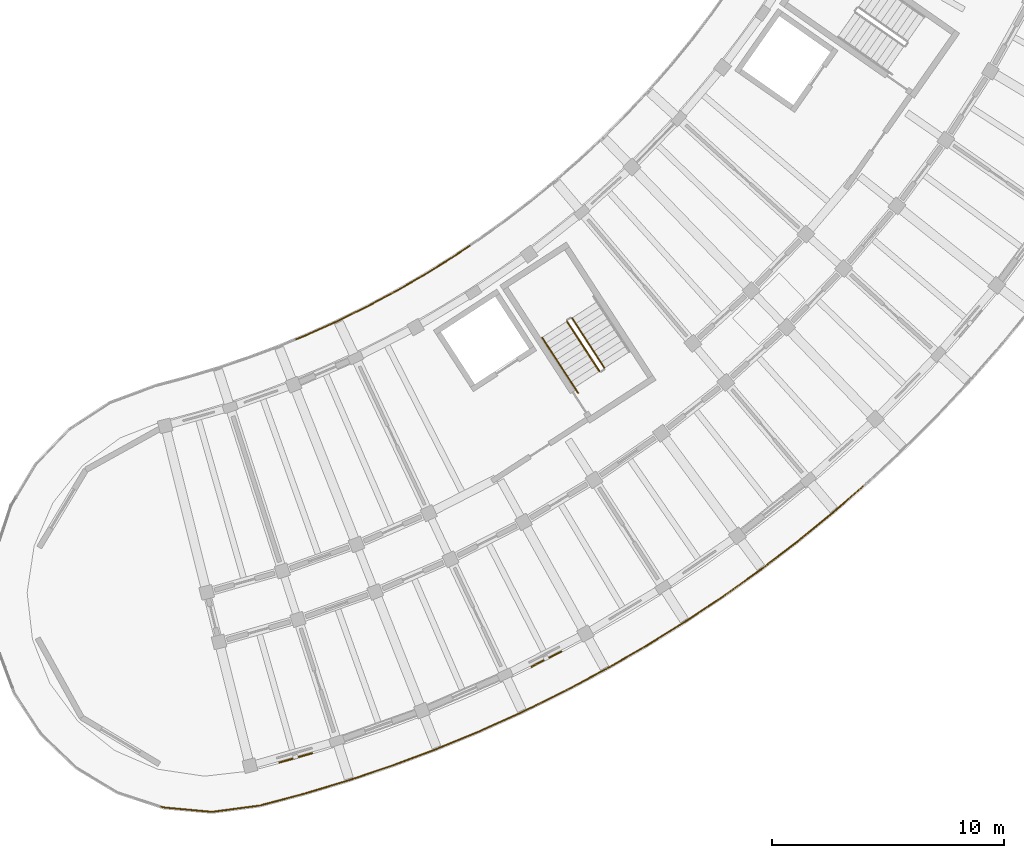
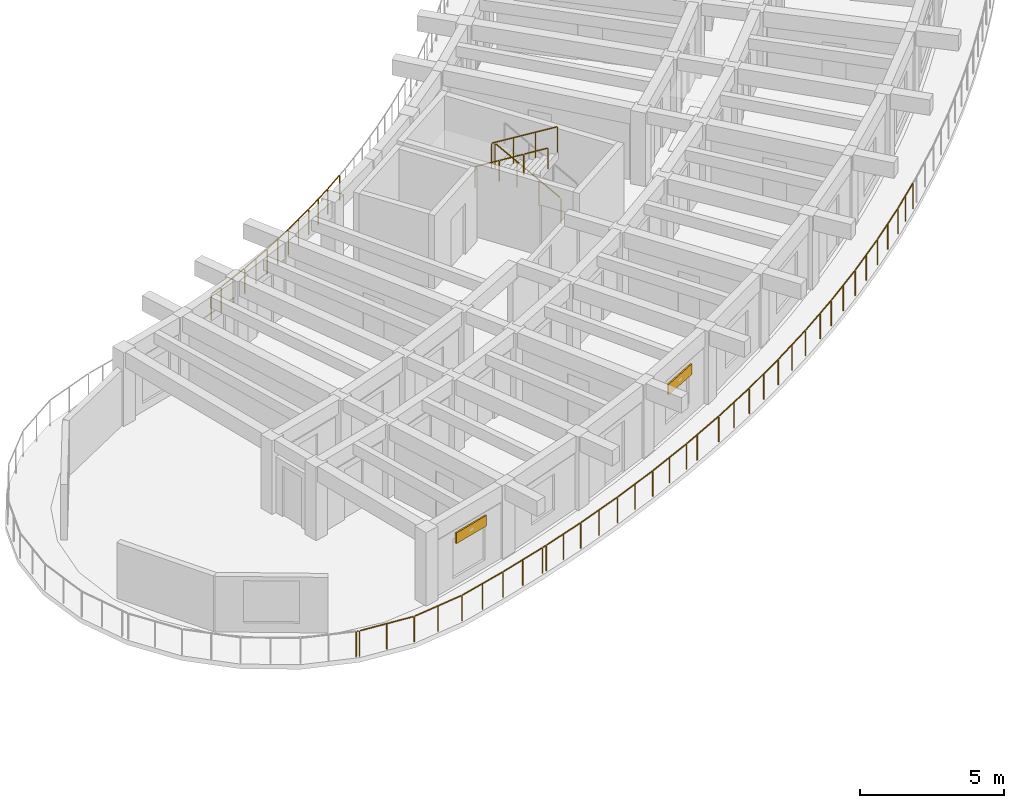
# One storey, part 61 of 69: 10 railings, 2 shading devices.
"""IFC4 building model written with IfcOpenShell, lengths in metres."""

from ifc_helpers import new_model, si_unit, direction, frame, origin, origin_2d, place, context, subcontext, project, spatial, rectangle, circle, extrude, material, layer, layer_set, type_object, element, save


model = new_model("IFC4")

# Units and contexts
model_context = context("Model", 3, precision=1e-05, world=origin(), true_north=direction((0.0, 1.0)))
body_context = subcontext(model_context, "Body", "Model", "MODEL_VIEW")
ifc_project = project(units=[si_unit("LENGTHUNIT", "METRE"), si_unit("AREAUNIT", "SQUARE_METRE"), si_unit("VOLUMEUNIT", "CUBIC_METRE"), si_unit("PLANEANGLEUNIT", "RADIAN"), si_unit("MASSUNIT", "GRAM", prefix="KILO")], contexts=[model_context])

# Site, building, storey
site_placement = place(None, origin())
site = spatial("IfcSite", under=ifc_project, at=site_placement, CompositionType="ELEMENT")
building_placement = place(site_placement, origin())
building = spatial("IfcBuilding", under=site, at=building_placement, Name="Tanwirah Colonnade Gardens", CompositionType="ELEMENT")
storey_placement = place(building_placement, frame((0.0, 0.0, 15.56005859375)))
storey = spatial("IfcBuildingStorey", under=building, at=storey_placement, Name="L04", CompositionType="ELEMENT", Elevation=15.56005859375)

# Railings
ifc_material_1 = material(Name="Precast concrete C40/50", Category="concrete")
railing_type_1 = type_object("IfcRailingType", Name="BAL-EXT110", PredefinedType="BALUSTRADE", material=ifc_material_1)
railing_1_placement = place(storey_placement, frame((137.40625, 25.105224609375, 0.0)))
element("IfcRailing", 1, at=railing_1_placement, inside=storey, type_object=railing_type_1, Name="Block D L04 Balcony Ribbon Balustrade 2", PredefinedType="BALUSTRADE", context=body_context, shape_type="SweptSolid", body=[
    extrude(circle(Radius=0.02392578125, at=origin_2d()), frame((0.02880859375, 0.011962890625, 1.076171875), z_axis=(0.924304230347, 0.381656507561, 0.0), x_axis=(-0.381656507561, 0.924304230347, 0.0)), (0.0, 0.0, 1.0), 0.506103515625),
    extrude(circle(Radius=0.02392578125, at=origin_2d()), frame((0.556640625, 0.231201171875, 1.076171875), z_axis=(0.911383314029, 0.411558568018, 0.0), x_axis=(-0.411558568018, 0.911383314029, 0.0)), (0.0, 0.0, 1.0), 1.33154296875),
    extrude(circle(Radius=0.02392578125, at=origin_2d()), frame((1.828857421875, 0.80712890625, 1.076171875), z_axis=(0.897349966121, 0.441319655469, 0.0), x_axis=(-0.441319655469, 0.897349966121, 0.0)), (0.0, 0.0, 1.0), 1.33154296875),
    extrude(circle(Radius=0.02392578125, at=origin_2d()), frame((3.081787109375, 1.42431640625, 1.076171875), z_axis=(0.88242081136, 0.470460956593, 0.0), x_axis=(-0.470460956593, 0.88242081136, 0.0)), (0.0, 0.0, 1.0), 1.331298828125),
    extrude(circle(Radius=0.02392578125, at=origin_2d()), frame((4.313720703125, 2.082275390625, 1.076171875), z_axis=(0.866535241782, 0.499115893104, 0.0), x_axis=(-0.499115893104, 0.866535241782, 0.0)), (0.0, 0.0, 1.0), 1.33154296875),
    extrude(circle(Radius=0.02392578125, at=origin_2d()), frame((5.5234375, 2.7802734375, 1.076171875), z_axis=(0.849764617567, 0.527162303973, 0.0), x_axis=(-0.527162303973, 0.849764617567, 0.0)), (0.0, 0.0, 1.0), 1.33154296875),
    extrude(circle(Radius=0.02392578125, at=origin_2d()), frame((6.709716796875, 3.517333984375, 1.076171875), z_axis=(0.832050294338, 0.554700196225, 0.0), x_axis=(-0.554700196225, 0.832050294338, 0.0)), (0.0, 0.0, 1.0), 0.8828125),
    extrude(circle(Radius=0.02099609375, at=origin_2d()), origin(), (0.0, 0.0, 1.0), 1.049072265625),
    extrude(circle(Radius=0.02099609375, at=origin_2d()), frame((0.525634765625, 0.217041015625, 0.0)), (0.0, 0.0, 1.0), 1.049072265625),
    extrude(circle(Radius=0.02099609375, at=origin_2d()), frame((1.163330078125, 0.505126953125, 0.0)), (0.0, 0.0, 1.0), 1.049072265625),
    extrude(circle(Radius=0.02099609375, at=origin_2d()), frame((1.798583984375, 0.7919921875, 0.0)), (0.0, 0.0, 1.0), 1.049072265625),
    extrude(circle(Radius=0.02099609375, at=origin_2d()), frame((2.42626953125, 1.100830078125, 0.0)), (0.0, 0.0, 1.0), 1.049072265625),
    extrude(circle(Radius=0.02099609375, at=origin_2d()), frame((3.0517578125, 1.408447265625, 0.0)), (0.0, 0.0, 1.0), 1.049072265625),
    extrude(circle(Radius=0.02099609375, at=origin_2d()), frame((3.669189453125, 1.737548828125, 0.0)), (0.0, 0.0, 1.0), 1.049072265625),
    extrude(circle(Radius=0.02099609375, at=origin_2d()), frame((4.2841796875, 2.0654296875, 0.0)), (0.0, 0.0, 1.0), 1.049072265625),
    extrude(circle(Radius=0.02099609375, at=origin_2d()), frame((4.890625, 2.41455078125, 0.0)), (0.0, 0.0, 1.0), 1.049072265625),
    extrude(circle(Radius=0.02099609375, at=origin_2d()), frame((5.49462890625, 2.762451171875, 0.0)), (0.0, 0.0, 1.0), 1.049072265625),
    extrude(circle(Radius=0.02099609375, at=origin_2d()), frame((6.089111328125, 3.131103515625, 0.0)), (0.0, 0.0, 1.0), 1.049072265625),
    extrude(circle(Radius=0.02099609375, at=origin_2d()), frame((6.681396484375, 3.49853515625, 0.0)), (0.0, 0.0, 1.0), 1.049072265625),
    extrude(circle(Radius=0.02099609375, at=origin_2d()), frame((7.47021484375, 4.0244140625, 0.0)), (0.0, 0.0, 1.0), 1.049072265625),
])
railing_2_placement = place(storey_placement, frame((161.835693359375, 18.761962890625, 0.0)))
element("IfcRailing", 2, at=railing_2_placement, inside=storey, type_object=railing_type_1, Name="Block D L04 Balcony Ribbon Balustrade 14", PredefinedType="BALUSTRADE", context=body_context, shape_type="SweptSolid", body=[
    extrude(circle(Radius=0.02392578125, at=origin_2d()), frame((-0.0234375, -0.0205078125, 1.076171875), z_axis=(-0.752557964537, -0.658526013163, 0.0), x_axis=(0.658526013163, -0.752557964537, 0.0)), (0.0, 0.0, 1.0), 1.552490234375),
    extrude(circle(Radius=0.02392578125, at=origin_2d()), frame((-1.239501953125, -1.083251953125, 1.076171875), z_axis=(-0.773707873236, -0.633542521771, 0.0), x_axis=(0.633542521771, -0.773707873236, 0.0)), (0.0, 0.0, 1.0), 1.944091796875),
    extrude(circle(Radius=0.02392578125, at=origin_2d()), frame((-2.792724609375, -2.353759765625, 1.076171875), z_axis=(-0.794033083107, -0.607874545388, 0.0), x_axis=(0.607874545388, -0.794033083107, 0.0)), (0.0, 0.0, 1.0), 1.944091796875),
    extrude(circle(Radius=0.02392578125, at=origin_2d()), frame((-4.386474609375, -3.572509765625, 1.076171875), z_axis=(-0.813486769226, -0.581583421612, 0.0), x_axis=(0.581583421612, -0.813486769226, 0.0)), (0.0, 0.0, 1.0), 1.944091796875),
    extrude(circle(Radius=0.02392578125, at=origin_2d()), frame((-6.01953125, -4.73876953125, 1.076171875), z_axis=(-0.832050294338, -0.554700196225, 0.0), x_axis=(0.554700196225, -0.832050294338, 0.0)), (0.0, 0.0, 1.0), 0.802734375),
    extrude(circle(Radius=0.02099609375, at=origin_2d()), origin(), (0.0, 0.0, 1.0), 1.049072265625),
    extrude(circle(Radius=0.02099609375, at=origin_2d()), frame((-0.607666015625, -0.53173828125, 0.0)), (0.0, 0.0, 1.0), 1.049072265625),
    extrude(circle(Radius=0.02099609375, at=origin_2d()), frame((-1.21533203125, -1.0634765625, 0.0)), (0.0, 0.0, 1.0), 1.049072265625),
    extrude(circle(Radius=0.02099609375, at=origin_2d()), frame((-1.99169921875, -1.69921875, 0.0)), (0.0, 0.0, 1.0), 1.049072265625),
    extrude(circle(Radius=0.02099609375, at=origin_2d()), frame((-2.767822265625, -2.334716796875, 0.0)), (0.0, 0.0, 1.0), 1.049072265625),
    extrude(circle(Radius=0.02099609375, at=origin_2d()), frame((-3.564453125, -2.944580078125, 0.0)), (0.0, 0.0, 1.0), 1.049072265625),
    extrude(circle(Radius=0.02099609375, at=origin_2d()), frame((-4.361083984375, -3.554443359375, 0.0)), (0.0, 0.0, 1.0), 1.049072265625),
    extrude(circle(Radius=0.02099609375, at=origin_2d()), frame((-5.17724609375, -4.137939453125, 0.0)), (0.0, 0.0, 1.0), 1.049072265625),
    extrude(circle(Radius=0.02099609375, at=origin_2d()), frame((-5.993408203125, -4.721435546875, 0.0)), (0.0, 0.0, 1.0), 1.049072265625),
    extrude(circle(Radius=0.02099609375, at=origin_2d()), frame((-6.71337890625, -5.201416015625, 0.0)), (0.0, 0.0, 1.0), 1.049072265625),
])
railing_3_placement = place(storey_placement, frame((155.122314453125, 13.560546875, 0.0)))
element("IfcRailing", 3, at=railing_3_placement, inside=storey, type_object=railing_type_1, Name="Block D L04 Balcony Ribbon Balustrade 15", PredefinedType="BALUSTRADE", context=body_context, shape_type="SweptSolid", body=[
    extrude(circle(Radius=0.02392578125, at=origin_2d()), frame((-0.026123046875, -0.017333984375, 1.076171875), z_axis=(-0.832083201048, -0.554650832987, 0.0), x_axis=(0.554650832987, -0.832083201048, 0.0)), (0.0, 0.0, 1.0), 1.078857421875),
    extrude(circle(Radius=0.02392578125, at=origin_2d()), frame((-0.976318359375, -0.649658203125, 1.076171875), z_axis=(-0.84977735452, -0.527141771959, 0.0), x_axis=(0.527141771959, -0.84977735452, 0.0)), (0.0, 0.0, 1.0), 1.9443359375),
    extrude(circle(Radius=0.02392578125, at=origin_2d()), frame((-2.68212890625, -1.70654296875, 1.076171875), z_axis=(-0.866598539642, -0.499005983021, 0.0), x_axis=(0.499005983021, -0.866598539642, 0.0)), (0.0, 0.0, 1.0), 1.94384765625),
    extrude(circle(Radius=0.02392578125, at=origin_2d()), frame((-4.42138671875, -2.706787109375, 1.076171875), z_axis=(-0.882416921514, -0.470468252516, 0.0), x_axis=(0.470468252516, -0.882416921514, 0.0)), (0.0, 0.0, 1.0), 1.944091796875),
    extrude(circle(Radius=0.02392578125, at=origin_2d()), frame((-6.192626953125, -3.650146484375, 1.076171875), z_axis=(-0.897361804375, -0.441295583537, 0.0), x_axis=(0.441295583537, -0.897361804375, 0.0)), (0.0, 0.0, 1.0), 1.2763671875),
    extrude(circle(Radius=0.02099609375, at=origin_2d()), origin(), (0.0, 0.0, 1.0), 1.049072265625),
    extrude(circle(Radius=0.02099609375, at=origin_2d()), frame((-0.94970703125, -0.633056640625, 0.0)), (0.0, 0.0, 1.0), 1.049072265625),
    extrude(circle(Radius=0.02099609375, at=origin_2d()), frame((-1.80224609375, -1.162109375, 0.0)), (0.0, 0.0, 1.0), 1.049072265625),
    extrude(circle(Radius=0.02099609375, at=origin_2d()), frame((-2.655029296875, -1.69091796875, 0.0)), (0.0, 0.0, 1.0), 1.049072265625),
    extrude(circle(Radius=0.02099609375, at=origin_2d()), frame((-3.5244140625, -2.19140625, 0.0)), (0.0, 0.0, 1.0), 1.049072265625),
    extrude(circle(Radius=0.02099609375, at=origin_2d()), frame((-4.393798828125, -2.692138671875, 0.0)), (0.0, 0.0, 1.0), 1.049072265625),
    extrude(circle(Radius=0.02099609375, at=origin_2d()), frame((-5.279296875, -3.1640625, 0.0)), (0.0, 0.0, 1.0), 1.049072265625),
    extrude(circle(Radius=0.02099609375, at=origin_2d()), frame((-6.16455078125, -3.63623046875, 0.0)), (0.0, 0.0, 1.0), 1.049072265625),
    extrude(circle(Radius=0.02099609375, at=origin_2d()), frame((-7.365966796875, -4.22705078125, 0.0)), (0.0, 0.0, 1.0), 1.049072265625),
])
railing_4_placement = place(storey_placement, frame((147.75634765625, 9.33349609375, 0.0)))
element("IfcRailing", 4, at=railing_4_placement, inside=storey, type_object=railing_type_1, Name="Block D L04 Balcony Ribbon Balustrade 16", PredefinedType="BALUSTRADE", context=body_context, shape_type="SweptSolid", body=[
    extrude(circle(Radius=0.02392578125, at=origin_2d()), frame((-0.028076171875, -0.013916015625, 1.076171875), z_axis=(-0.897333348104, -0.441353443831, 0.0), x_axis=(0.441353443831, -0.897333348104, 0.0)), (0.0, 0.0, 1.0), 0.605224609375),
    extrude(circle(Radius=0.02392578125, at=origin_2d()), frame((-0.627685546875, -0.3076171875, 1.076171875), z_axis=(-0.911305810052, -0.411730155035, 0.0), x_axis=(0.411730155035, -0.911305810052, 0.0)), (0.0, 0.0, 1.0), 1.944091796875),
    extrude(circle(Radius=0.02392578125, at=origin_2d()), frame((-2.45654296875, -1.1328125, 1.076171875), z_axis=(-0.924299685122, -0.381667515102, 0.0), x_axis=(0.381667515102, -0.924299685122, 0.0)), (0.0, 0.0, 1.0), 1.944091796875),
    extrude(circle(Radius=0.02392578125, at=origin_2d()), frame((-4.311767578125, -1.897705078125, 1.076171875), z_axis=(-0.93628917395, -0.351230099427, 0.0), x_axis=(0.351230099427, -0.93628917395, 0.0)), (0.0, 0.0, 1.0), 1.9443359375),
    extrude(circle(Radius=0.02392578125, at=origin_2d()), frame((-6.19091796875, -2.6015625, 1.076171875), z_axis=(-0.947300271749, -0.320346991783, 0.0), x_axis=(0.320346991783, -0.947300271749, 0.0)), (0.0, 0.0, 1.0), 1.749755859375),
    extrude(circle(Radius=0.02099609375, at=origin_2d()), origin(), (0.0, 0.0, 1.0), 1.049072265625),
    extrude(circle(Radius=0.02099609375, at=origin_2d()), frame((-0.59912109375, -0.294677734375, 0.0)), (0.0, 0.0, 1.0), 1.049072265625),
    extrude(circle(Radius=0.02099609375, at=origin_2d()), frame((-1.513427734375, -0.707763671875, 0.0)), (0.0, 0.0, 1.0), 1.049072265625),
    extrude(circle(Radius=0.02099609375, at=origin_2d()), frame((-2.427734375, -1.120849609375, 0.0)), (0.0, 0.0, 1.0), 1.049072265625),
    extrude(circle(Radius=0.02099609375, at=origin_2d()), frame((-3.35498046875, -1.50390625, 0.0)), (0.0, 0.0, 1.0), 1.049072265625),
    extrude(circle(Radius=0.02099609375, at=origin_2d()), frame((-4.282470703125, -1.88671875, 0.0)), (0.0, 0.0, 1.0), 1.049072265625),
    extrude(circle(Radius=0.02099609375, at=origin_2d()), frame((-5.221923828125, -2.2392578125, 0.0)), (0.0, 0.0, 1.0), 1.049072265625),
    extrude(circle(Radius=0.02099609375, at=origin_2d()), frame((-6.161376953125, -2.591552734375, 0.0)), (0.0, 0.0, 1.0), 1.049072265625),
    extrude(circle(Radius=0.02099609375, at=origin_2d()), frame((-7.019775390625, -2.8818359375, 0.0)), (0.0, 0.0, 1.0), 1.049072265625),
    extrude(circle(Radius=0.02099609375, at=origin_2d()), frame((-7.878173828125, -3.172119140625, 0.0)), (0.0, 0.0, 1.0), 1.049072265625),
])
railing_5_placement = place(storey_placement, frame((139.878173828125, 6.161376953125, 0.0)))
element("IfcRailing", 5, at=railing_5_placement, inside=storey, type_object=railing_type_1, Name="Block D L04 Balcony Ribbon Balustrade 17", PredefinedType="BALUSTRADE", context=body_context, shape_type="SweptSolid", body=[
    extrude(circle(Radius=0.02392578125, at=origin_2d()), frame((-0.029541015625, -0.010009765625, 1.076171875), z_axis=(-0.947163067571, -0.320752433241, 0.0), x_axis=(0.320752433241, -0.947163067571, 0.0)), (0.0, 0.0, 1.0), 0.131591796875),
    extrude(circle(Radius=0.02392578125, at=origin_2d()), frame((-0.2138671875, -0.0712890625, 1.076171875), z_axis=(-0.957268624199, -0.289200243991, 0.0), x_axis=(0.289200243991, -0.957268624199, 0.0)), (0.0, 0.0, 1.0), 1.944091796875),
    extrude(circle(Radius=0.02392578125, at=origin_2d()), frame((-2.135009765625, -0.650634765625, 1.076171875), z_axis=(-0.966192437924, -0.257821979083, 0.0), x_axis=(0.257821979083, -0.966192437924, 0.0)), (0.0, 0.0, 1.0), 1.940185546875),
    extrude(circle(Radius=0.02392578125, at=origin_2d()), frame((-4.07080078125, -1.1630859375, 1.076171875), z_axis=(-0.991286952851, -0.131720071011, 0.0), x_axis=(0.131720071011, -0.991286952851, 0.0)), (0.0, 0.0, 1.0), 2.0283203125),
    extrude(circle(Radius=0.02392578125, at=origin_2d()), frame((-6.1435546875, -1.431396484375, 1.076171875), z_axis=(-0.995752995821, 0.0920650385, 0.0), x_axis=(-0.0920650385, -0.995752995821, 0.0)), (0.0, 0.0, 1.0), 2.0244140625),
    extrude(circle(Radius=0.02392578125, at=origin_2d()), frame((-8.22021484375, -1.232421875, 1.076171875), z_axis=(-0.949909728063, 0.312524412696, 0.0), x_axis=(-0.312524412696, -0.949909728063, 0.0)), (0.0, 0.0, 1.0), 0.05615234375),
    extrude(circle(Radius=0.02099609375, at=origin_2d()), origin(), (0.0, 0.0, 1.0), 1.049072265625),
    extrude(circle(Radius=0.02099609375, at=origin_2d()), frame((-0.183837890625, -0.062255859375, 0.0)), (0.0, 0.0, 1.0), 1.049072265625),
    extrude(circle(Radius=0.02099609375, at=origin_2d()), frame((-1.144287109375, -0.3525390625, 0.0)), (0.0, 0.0, 1.0), 1.049072265625),
    extrude(circle(Radius=0.02099609375, at=origin_2d()), frame((-2.104736328125, -0.642578125, 0.0)), (0.0, 0.0, 1.0), 1.049072265625),
    extrude(circle(Radius=0.02099609375, at=origin_2d()), frame((-3.072265625, -0.90087890625, 0.0)), (0.0, 0.0, 1.0), 1.049072265625),
    extrude(circle(Radius=0.02099609375, at=origin_2d()), frame((-4.039794921875, -1.158935546875, 0.0)), (0.0, 0.0, 1.0), 1.049072265625),
    extrude(circle(Radius=0.02099609375, at=origin_2d()), frame((-5.076171875, -1.296630859375, 0.0)), (0.0, 0.0, 1.0), 1.049072265625),
    extrude(circle(Radius=0.02099609375, at=origin_2d()), frame((-6.1123046875, -1.434326171875, 0.0)), (0.0, 0.0, 1.0), 1.049072265625),
    extrude(circle(Radius=0.02099609375, at=origin_2d()), frame((-7.1513671875, -1.33837890625, 0.0)), (0.0, 0.0, 1.0), 1.049072265625),
    extrude(circle(Radius=0.02099609375, at=origin_2d()), frame((-8.1904296875, -1.2421875, 0.0)), (0.0, 0.0, 1.0), 1.049072265625),
    extrude(circle(Radius=0.02099609375, at=origin_2d()), frame((-8.30322265625, -1.205078125, 0.0)), (0.0, 0.0, 1.0), 1.049072265625),
])
ifc_material_2 = material(Name="Powder-coated galvanized steel", Category="steel")
railing_type_2 = type_object("IfcRailingType", Name="GRD-ST110", PredefinedType="GUARDRAIL", material=ifc_material_2)
railing_6_placement = place(storey_placement, frame((150.691162109375, 23.865478515625, 0.16796875)))
element("IfcRailing", 6, at=railing_6_placement, inside=storey, type_object=railing_type_2, Name="L04 ST-D1 stair guard 1", PredefinedType="GUARDRAIL", context=body_context, shape_type="SweptSolid", body=[
    extrude(circle(Radius=0.02392578125, at=origin_2d()), frame((-0.0146484375, 0.022705078125, 1.092041015625), z_axis=(-0.469192556557, 0.722484378858, 0.507813614603), x_axis=(-0.838667537708, -0.544643701143, 0.0)), (0.0, 0.0, 1.0), 2.914794921875),
    extrude(circle(Radius=0.02099609375, at=origin_2d()), origin(), (0.0, 0.0, 1.0), 1.049072265625),
    extrude(circle(Radius=0.02099609375, at=origin_2d()), frame((-0.465576171875, 0.717041015625, 0.50390625)), (0.0, 0.0, 1.0), 1.049072265625),
    extrude(circle(Radius=0.02099609375, at=origin_2d()), frame((-0.931396484375, 1.43408203125, 1.008056640625)), (0.0, 0.0, 1.0), 1.049072265625),
    extrude(circle(Radius=0.02099609375, at=origin_2d()), frame((-1.39697265625, 2.151123046875, 1.511962890625)), (0.0, 0.0, 1.0), 1.049072265625),
])
railing_7_placement = place(storey_placement, frame((149.076171875, 25.875, 1.847900390625)))
element("IfcRailing", 7, at=railing_7_placement, inside=storey, type_object=railing_type_2, Name="L04 ST-D1 stair guard 3", PredefinedType="GUARDRAIL", context=body_context, shape_type="SweptSolid", body=[
    extrude(circle(Radius=0.02392578125, at=origin_2d()), frame((0.0146484375, -0.022705078125, 1.092041015625), z_axis=(0.469192556557, -0.722484378858, 0.507813614603), x_axis=(0.838667537708, 0.544643701143, 0.0)), (0.0, 0.0, 1.0), 2.914794921875),
    extrude(circle(Radius=0.02099609375, at=origin_2d()), origin(), (0.0, 0.0, 1.0), 1.049072265625),
    extrude(circle(Radius=0.02099609375, at=origin_2d()), frame((0.465576171875, -0.717041015625, 0.50390625)), (0.0, 0.0, 1.0), 1.049072265625),
    extrude(circle(Radius=0.02099609375, at=origin_2d()), frame((0.931396484375, -1.43408203125, 1.008056640625)), (0.0, 0.0, 1.0), 1.049072265625),
    extrude(circle(Radius=0.02099609375, at=origin_2d()), frame((1.39697265625, -2.151123046875, 1.511962890625)), (0.0, 0.0, 1.0), 1.049072265625),
])
ifc_material_3 = material(Name="Brushed bronze stainless steel", Category="steel")
railing_type_3 = type_object("IfcRailingType", Name="HR-ST090", PredefinedType="HANDRAIL", material=ifc_material_3)
railing_8_placement = place(storey_placement, frame((148.002685546875, 25.177978515625, 1.847900390625)))
element("IfcRailing", 8, at=railing_8_placement, inside=storey, type_object=railing_type_3, Name="L04 ST-D1 stair handrail 4", PredefinedType="HANDRAIL", context=body_context, shape_type="SweptSolid", body=[
    extrude(circle(Radius=0.02392578125, at=origin_2d()), frame((0.0146484375, -0.0224609375, 0.891845703125), z_axis=(0.467762236297, -0.720517196448, 0.511911574315), x_axis=(0.838748777278, 0.544518584269, 0.0)), (0.0, 0.0, 1.0), 1.04345703125),
    extrude(circle(Radius=0.02099609375, at=origin_2d()), origin(), (0.0, 0.0, 1.0), 0.848876953125),
    extrude(circle(Radius=0.02099609375, at=origin_2d()), frame((0.517333984375, -0.796875, 0.566162109375)), (0.0, 0.0, 1.0), 0.848876953125),
])
railing_9_placement = place(storey_placement, frame((148.52001953125, 24.381103515625, 2.4140625)))
element("IfcRailing", 9, at=railing_9_placement, inside=storey, type_object=railing_type_3, Name="L04 ST-D1 stair handrail 5", PredefinedType="HANDRAIL", context=body_context, shape_type="SweptSolid", body=[
    extrude(circle(Radius=0.02392578125, at=origin_2d()), frame((0.0146484375, -0.0224609375, 0.891845703125), z_axis=(0.468061963177, -0.720418012192, 0.511777184266), x_axis=(0.838555156357, 0.544816712067, 0.0)), (0.0, 0.0, 1.0), 1.043212890625),
    extrude(circle(Radius=0.02099609375, at=origin_2d()), origin(), (0.0, 0.0, 1.0), 0.848876953125),
    extrude(circle(Radius=0.02099609375, at=origin_2d()), frame((0.517578125, -0.796630859375, 0.56591796875)), (0.0, 0.0, 1.0), 0.848876953125),
])
railing_10_placement = place(storey_placement, frame((149.03759765625, 23.58447265625, 2.97998046875)))
element("IfcRailing", 10, at=railing_10_placement, inside=storey, type_object=railing_type_3, Name="L04 ST-D1 stair handrail 6", PredefinedType="HANDRAIL", context=body_context, shape_type="SweptSolid", body=[
    extrude(circle(Radius=0.02392578125, at=origin_2d()), frame((0.0146484375, -0.0224609375, 0.891845703125), z_axis=(0.467815092293, -0.720598613141, 0.511748647445), x_axis=(0.838748777278, 0.544518584269, 0.0)), (0.0, 0.0, 1.0), 1.043212890625),
    extrude(circle(Radius=0.02099609375, at=origin_2d()), origin(), (0.0, 0.0, 1.0), 0.848876953125),
    extrude(circle(Radius=0.02099609375, at=origin_2d()), frame((0.517333984375, -0.796875, 0.56591796875)), (0.0, 0.0, 1.0), 0.848876953125),
])

# Shading devices
ifc_material_4 = material(Name="Perforated architectural bronze aluminium", Category="aluminium")
ifc_layer = layer(ifc_material_4, 0.050048828125)
ifc_layer_set = layer_set([ifc_layer], Name="Perforated architectural bronze aluminium")
shading_device_type = type_object("IfcShadingDeviceType", Name="SHD-OVH1", PredefinedType="SHUTTER", material=ifc_layer_set)
shading_device_1_placement = place(storey_placement, frame((137.382568359375, 7.057373046875, 1.86474609375), z_axis=(0.0, 0.0, 1.0), x_axis=(0.961860770803, 0.273539499139, 0.0)))
element("IfcShadingDevice", 11, at=shading_device_1_placement, inside=storey, type_object=shading_device_type, Name="Solar shading louver hood D-L04-00", PredefinedType="SHUTTER", context=body_context, shape_type="SweptSolid", body=[
    extrude(rectangle(XDim=1.5, YDim=0.06005859375, at=origin_2d()), origin(), (0.0, 0.0, 1.0), 0.449951171875),
])
shading_device_2_placement = place(storey_placement, frame((148.1943359375, 11.316162109375, 1.8447265625), z_axis=(0.0, 0.0, 1.0), x_axis=(0.890014924435, 0.455931392078, 0.0)))
element("IfcShadingDevice", 12, at=shading_device_2_placement, inside=storey, type_object=shading_device_type, Name="Solar shading louver hood D-L04-03", PredefinedType="SHUTTER", context=body_context, shape_type="SweptSolid", body=[
    extrude(rectangle(XDim=1.47998046875, YDim=0.06005859375, at=origin_2d()), origin(), (0.0, 0.0, 1.0), 0.449951171875),
])

save(model, "model.ifc")
